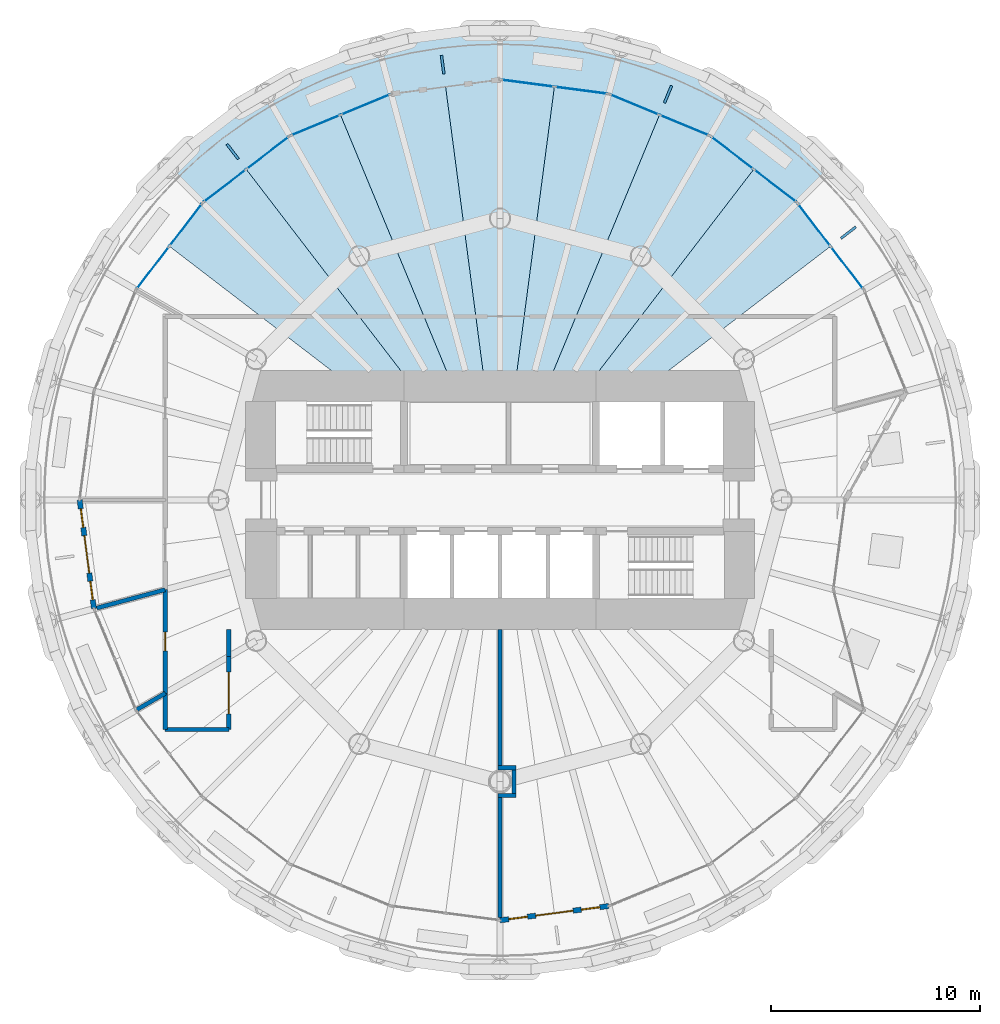
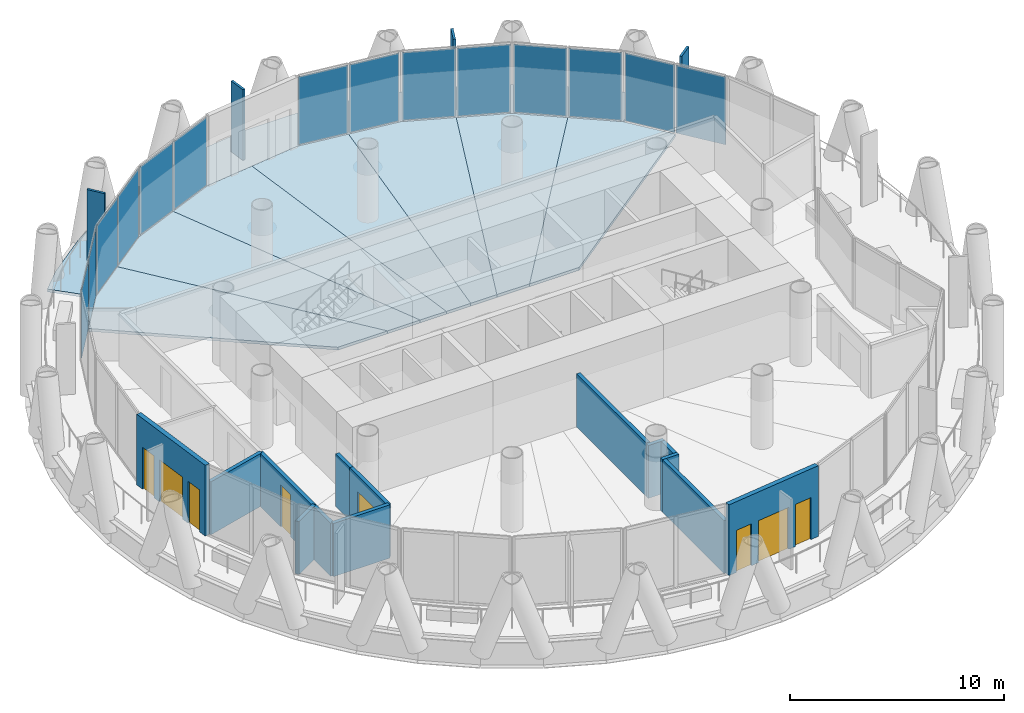
# One storey, part 8 of 13: 18 plates, 14 walls, 8 slabs, 4 doors, 4 windows, 8 openings, 7 elements without a shape of their own.
"""IFC4 building model written with IfcOpenShell, lengths in metres."""

from ifc_helpers import new_model, si_unit, direction, frame, frame_2d, origin, origin_2d, place, context, subcontext, project, spatial, polyline, rectangle, outline, extrude, material, layer, layer_set, type_object, element, fill, aggregate, save


model = new_model("IFC4")

# Units and contexts
model_context = context("Model", 3, precision=1e-05, world=origin(), true_north=direction((0.0, 1.0)))
body_context = subcontext(model_context, "Body", "Model", "MODEL_VIEW")
ifc_project = project(units=[si_unit("LENGTHUNIT", "METRE"), si_unit("AREAUNIT", "SQUARE_METRE"), si_unit("VOLUMEUNIT", "CUBIC_METRE"), si_unit("PLANEANGLEUNIT", "RADIAN"), si_unit("MASSUNIT", "GRAM", prefix="KILO")], contexts=[model_context])

# Site, building, storey
site_placement = place(None, origin())
site = spatial("IfcSite", under=ifc_project, at=site_placement, CompositionType="ELEMENT")
building_placement = place(site_placement, origin())
building = spatial("IfcBuilding", under=site, at=building_placement, Name="Qaws Media Tower", CompositionType="ELEMENT")
storey_placement = place(building_placement, frame((0.0, 0.0, 223.39990234375)))
storey = spatial("IfcBuildingStorey", under=building, at=storey_placement, Name="L51", CompositionType="ELEMENT", Elevation=223.39990234375)

# Slabs
ifc_material_1 = material(Name="Concrete C35/45", Category="concrete")
ifc_layer_1 = layer(ifc_material_1, 0.159912109375)
ifc_layer_set_1 = layer_set([ifc_layer_1], Name="Composite balcony slab 160")
slab_type_1 = type_object("IfcSlabType", Name="Composite balcony slab 160", PredefinedType="FLOOR", material=ifc_layer_set_1)
slab_1_placement = place(storey_placement, frame((0.0, 0.0, -0.159912109375)))
element("IfcSlab", 1, at=slab_1_placement, inside=storey, type_object=slab_type_1, Name="S2 balcony slab L51 R04 to R10, movement joints on R04 and R10", PredefinedType="FLOOR", context=body_context, shape_type="SweptSolid", body=[
    extrude(outline(polyline([(45.1318359375, 66.9541015625), (47.471923828125, 68.74951171875), (50.0263671875, 70.224609375), (52.75146484375, 71.353271484375), (55.6005859375, 72.11669921875), (58.525146484375, 72.501708984375), (61.474853515625, 72.501708984375), (64.3994140625, 72.11669921875), (67.24853515625, 71.353271484375), (69.9736328125, 70.224609375), (72.528076171875, 68.74951171875), (74.8681640625, 66.9541015625), (75.9111328125, 65.9111328125), (74.248291015625, 64.248291015625), (70.074951171875, 67.450439453125), (65.215087890625, 69.46337890625), (60.0, 70.14990234375), (54.784912109375, 69.46337890625), (49.925048828125, 67.450439453125), (45.751708984375, 64.248291015625), (44.0888671875, 65.9111328125), (45.1318359375, 66.9541015625)])), origin(), (0.0, 0.0, 1.0), 0.159912109375),
])
ifc_material_2 = material(Name="Concrete C35/45", Category="concrete")
ifc_layer_2 = layer(ifc_material_2, 0.159912109375)
ifc_layer_set_2 = layer_set([ifc_layer_2], Name="Composite floor slab 160")
slab_type_2 = type_object("IfcSlabType", Name="Composite floor slab 160", PredefinedType="FLOOR", material=ifc_layer_set_2)
slab_2_placement = place(storey_placement, frame((0.0, 0.0, -0.159912109375)))
element("IfcSlab", 2, at=slab_2_placement, inside=storey, type_object=slab_type_2, Name="S1 floor panel L51 on R04", PredefinedType="FLOOR", context=body_context, shape_type="SweptSolid", body=[
    extrude(outline(polyline([(74.248291015625, 64.248291015625), (75.849365234375, 62.16162109375), (66.51611328125, 55.0), (63.836669921875, 55.0), (72.16162109375, 65.849365234375), (74.248291015625, 64.248291015625)])), origin(), (0.0, 0.0, 1.0), 0.159912109375),
])
slab_3_placement = place(storey_placement, frame((0.0, 0.0, -0.159912109375)))
element("IfcSlab", 3, at=slab_3_placement, inside=storey, type_object=slab_type_2, Name="S1 floor panel L51 on R05", PredefinedType="FLOOR", context=body_context, shape_type="SweptSolid", body=[
    extrude(outline(polyline([(70.074951171875, 67.450439453125), (72.16162109375, 65.849365234375), (63.836669921875, 55.0), (62.071044921875, 55.0), (67.64501953125, 68.456787109375), (70.074951171875, 67.450439453125)])), origin(), (0.0, 0.0, 1.0), 0.159912109375),
])
slab_4_placement = place(storey_placement, frame((0.0, 0.0, -0.159912109375)))
element("IfcSlab", 4, at=slab_4_placement, inside=storey, type_object=slab_type_2, Name="S1 floor panel L51 on R06", PredefinedType="FLOOR", context=body_context, shape_type="SweptSolid", body=[
    extrude(outline(polyline([(65.215087890625, 69.46337890625), (67.64501953125, 68.456787109375), (62.071044921875, 55.0), (60.658203125, 55.0), (62.607666015625, 69.806640625), (65.215087890625, 69.46337890625)])), origin(), (0.0, 0.0, 1.0), 0.159912109375),
])
slab_5_placement = place(storey_placement, frame((0.0, 0.0, -0.159912109375)))
element("IfcSlab", 5, at=slab_5_placement, inside=storey, type_object=slab_type_2, Name="S1 floor panel L51 on R07", PredefinedType="FLOOR", context=body_context, shape_type="SweptSolid", body=[
    extrude(outline(polyline([(60.0, 70.14990234375), (62.607666015625, 69.806640625), (60.658203125, 55.0), (59.341796875, 55.0), (57.392333984375, 69.806640625), (60.0, 70.14990234375)])), origin(), (0.0, 0.0, 1.0), 0.159912109375),
])
slab_6_placement = place(storey_placement, frame((0.0, 0.0, -0.159912109375)))
element("IfcSlab", 6, at=slab_6_placement, inside=storey, type_object=slab_type_2, Name="S1 floor panel L51 on R08", PredefinedType="FLOOR", context=body_context, shape_type="SweptSolid", body=[
    extrude(outline(polyline([(54.784912109375, 69.46337890625), (57.392333984375, 69.806640625), (59.341796875, 55.0), (57.928955078125, 55.0), (52.35498046875, 68.456787109375), (54.784912109375, 69.46337890625)])), origin(), (0.0, 0.0, 1.0), 0.159912109375),
])
slab_7_placement = place(storey_placement, frame((0.0, 0.0, -0.159912109375)))
element("IfcSlab", 7, at=slab_7_placement, inside=storey, type_object=slab_type_2, Name="S1 floor panel L51 on R09", PredefinedType="FLOOR", context=body_context, shape_type="SweptSolid", body=[
    extrude(outline(polyline([(49.925048828125, 67.450439453125), (52.35498046875, 68.456787109375), (57.928955078125, 55.0), (56.163330078125, 55.0), (47.83837890625, 65.849365234375), (49.925048828125, 67.450439453125)])), origin(), (0.0, 0.0, 1.0), 0.159912109375),
])
slab_8_placement = place(storey_placement, frame((0.0, 0.0, -0.159912109375)))
element("IfcSlab", 8, at=slab_8_placement, inside=storey, type_object=slab_type_2, Name="S1 floor panel L51 on R10", PredefinedType="FLOOR", context=body_context, shape_type="SweptSolid", body=[
    extrude(outline(polyline([(45.751708984375, 64.248291015625), (47.83837890625, 65.849365234375), (56.163330078125, 55.0), (53.48388671875, 55.0), (44.150634765625, 62.16162109375), (45.751708984375, 64.248291015625)])), origin(), (0.0, 0.0, 1.0), 0.159912109375),
])

# Curtain wall, plates
ifc_material_3 = material(Name="Aluminium and clear glass", Category="aluminium")
curtain_wall_type = type_object("IfcCurtainWallType", Name="Unitised curtain wall CW-C", PredefinedType="NOTDEFINED", material=ifc_material_3)
curtain_wall_1_placement = place(storey_placement, origin())
curtain_wall_1 = element("IfcCurtainWall", 9, at=curtain_wall_1_placement, inside=storey, type_object=curtain_wall_type, Name="CWC curtain wall L51-03", PredefinedType="NOTDEFINED")
ifc_material_4 = material(Name="Clear laminated double glazing", Category="glass")
ifc_layer_3 = layer(ifc_material_4, 0.031982421875)
ifc_layer_set_3 = layer_set([ifc_layer_3], Name="Curtain wall glass unit 32")
plate_type_1 = type_object("IfcPlateType", Name="Curtain wall glass unit 32", PredefinedType="CURTAIN_PANEL", material=ifc_layer_set_3)
plate_1_placement = place(storey_placement, frame((76.6376953125, 61.13427734375, 0.080078125), z_axis=(0.0, 0.0, 1.0), x_axis=(-0.608761366685, 0.793353388114, 0.0)))
plate_1 = element("IfcPlate", 10, at=plate_1_placement, type_object=plate_type_1, Name="CWC panel 1.1", PredefinedType="CURTAIN_PANEL", context=body_context, shape_type="SweptSolid", body=[
    extrude(rectangle(XDim=2.510009765625, YDim=0.031982421875, at=origin_2d()), origin(), (0.0, 0.0, 1.0), 3.8798828125),
])
plate_2_placement = place(storey_placement, frame((75.06103515625, 63.18896484375, 0.080078125), z_axis=(0.0, 0.0, 1.0), x_axis=(-0.608761366685, 0.793353388114, 0.0)))
plate_2 = element("IfcPlate", 11, at=plate_2_placement, type_object=plate_type_1, Name="CWC panel 2.1", PredefinedType="CURTAIN_PANEL", context=body_context, shape_type="SweptSolid", body=[
    extrude(rectangle(XDim=2.510009765625, YDim=0.031982421875, at=origin_2d()), origin(), (0.0, 0.0, 1.0), 3.8798828125),
])
aggregate(curtain_wall_1, [plate_1, plate_2])

curtain_wall_2_placement = place(storey_placement, origin())
curtain_wall_2 = element("IfcCurtainWall", 12, at=curtain_wall_2_placement, inside=storey, type_object=curtain_wall_type, Name="CWC curtain wall L51-04", PredefinedType="NOTDEFINED")
plate_3_placement = place(storey_placement, frame((73.18896484375, 65.06103515625, 0.080078125), z_axis=(0.0, 0.0, 1.0), x_axis=(-0.793353388114, 0.608761366685, 0.0)))
plate_3 = element("IfcPlate", 13, at=plate_3_placement, type_object=plate_type_1, Name="CWC panel 1.1", PredefinedType="CURTAIN_PANEL", context=body_context, shape_type="SweptSolid", body=[
    extrude(rectangle(XDim=2.510009765625, YDim=0.031982421875, at=origin_2d()), origin(), (0.0, 0.0, 1.0), 3.8798828125),
])
plate_4_placement = place(storey_placement, frame((71.13427734375, 66.6376953125, 0.080078125), z_axis=(0.0, 0.0, 1.0), x_axis=(-0.793353388114, 0.608761366685, 0.0)))
plate_4 = element("IfcPlate", 14, at=plate_4_placement, type_object=plate_type_1, Name="CWC panel 2.1", PredefinedType="CURTAIN_PANEL", context=body_context, shape_type="SweptSolid", body=[
    extrude(rectangle(XDim=2.510009765625, YDim=0.031982421875, at=origin_2d()), origin(), (0.0, 0.0, 1.0), 3.8798828125),
])
aggregate(curtain_wall_2, [plate_3, plate_4])

curtain_wall_3_placement = place(storey_placement, origin())
curtain_wall_3 = element("IfcCurtainWall", 15, at=curtain_wall_3_placement, inside=storey, type_object=curtain_wall_type, Name="CWC curtain wall L51-05", PredefinedType="NOTDEFINED")
plate_5_placement = place(storey_placement, frame((68.841552734375, 67.96142578125, 0.080078125), z_axis=(0.0, 0.0, 1.0), x_axis=(-0.92387956031, 0.382683365254, 0.0)))
plate_5 = element("IfcPlate", 16, at=plate_5_placement, type_object=plate_type_1, Name="CWC panel 1.1", PredefinedType="CURTAIN_PANEL", context=body_context, shape_type="SweptSolid", body=[
    extrude(rectangle(XDim=2.510009765625, YDim=0.031982421875, at=origin_2d()), origin(), (0.0, 0.0, 1.0), 3.8798828125),
])
plate_6_placement = place(storey_placement, frame((66.44873046875, 68.952392578125, 0.080078125), z_axis=(0.0, 0.0, 1.0), x_axis=(-0.92387956031, 0.382683365254, 0.0)))
plate_6 = element("IfcPlate", 17, at=plate_6_placement, type_object=plate_type_1, Name="CWC panel 2.1", PredefinedType="CURTAIN_PANEL", context=body_context, shape_type="SweptSolid", body=[
    extrude(rectangle(XDim=2.510009765625, YDim=0.031982421875, at=origin_2d()), origin(), (0.0, 0.0, 1.0), 3.8798828125),
])
aggregate(curtain_wall_3, [plate_5, plate_6])

curtain_wall_4_placement = place(storey_placement, origin())
curtain_wall_4 = element("IfcCurtainWall", 18, at=curtain_wall_4_placement, inside=storey, type_object=curtain_wall_type, Name="CWC curtain wall L51-06", PredefinedType="NOTDEFINED")
plate_7_placement = place(storey_placement, frame((63.8916015625, 69.6376953125, 0.080078125), z_axis=(0.0, 0.0, 1.0), x_axis=(-0.991444852321, 0.130526260986, 0.0)))
plate_7 = element("IfcPlate", 19, at=plate_7_placement, type_object=plate_type_1, Name="CWC panel 1.1", PredefinedType="CURTAIN_PANEL", context=body_context, shape_type="SweptSolid", body=[
    extrude(rectangle(XDim=2.510009765625, YDim=0.031982421875, at=origin_2d()), origin(), (0.0, 0.0, 1.0), 3.8798828125),
])
plate_8_placement = place(storey_placement, frame((61.32373046875, 69.975830078125, 0.080078125), z_axis=(0.0, 0.0, 1.0), x_axis=(-0.991444852321, 0.130526260986, 0.0)))
plate_8 = element("IfcPlate", 20, at=plate_8_placement, type_object=plate_type_1, Name="CWC panel 2.1", PredefinedType="CURTAIN_PANEL", context=body_context, shape_type="SweptSolid", body=[
    extrude(rectangle(XDim=2.510009765625, YDim=0.031982421875, at=origin_2d()), origin(), (0.0, 0.0, 1.0), 3.8798828125),
])
aggregate(curtain_wall_4, [plate_7, plate_8])

curtain_wall_5_placement = place(storey_placement, origin())
curtain_wall_5 = element("IfcCurtainWall", 21, at=curtain_wall_5_placement, inside=storey, type_object=curtain_wall_type, Name="CWC curtain wall L51-08", PredefinedType="NOTDEFINED")
plate_9_placement = place(storey_placement, frame((53.55126953125, 68.952392578125, 0.080078125), z_axis=(0.0, 0.0, 1.0), x_axis=(-0.92387956031, -0.382683365254, 0.0)))
plate_9 = element("IfcPlate", 22, at=plate_9_placement, type_object=plate_type_1, Name="CWC panel 1.1", PredefinedType="CURTAIN_PANEL", context=body_context, shape_type="SweptSolid", body=[
    extrude(rectangle(XDim=2.510009765625, YDim=0.031982421875, at=origin_2d()), origin(), (0.0, 0.0, 1.0), 3.8798828125),
])
plate_10_placement = place(storey_placement, frame((51.158447265625, 67.96142578125, 0.080078125), z_axis=(0.0, 0.0, 1.0), x_axis=(-0.92387956031, -0.382683365254, 0.0)))
plate_10 = element("IfcPlate", 23, at=plate_10_placement, type_object=plate_type_1, Name="CWC panel 2.1", PredefinedType="CURTAIN_PANEL", context=body_context, shape_type="SweptSolid", body=[
    extrude(rectangle(XDim=2.510009765625, YDim=0.031982421875, at=origin_2d()), origin(), (0.0, 0.0, 1.0), 3.8798828125),
])
aggregate(curtain_wall_5, [plate_9, plate_10])

curtain_wall_6_placement = place(storey_placement, origin())
curtain_wall_6 = element("IfcCurtainWall", 24, at=curtain_wall_6_placement, inside=storey, type_object=curtain_wall_type, Name="CWC curtain wall L51-09", PredefinedType="NOTDEFINED")
plate_11_placement = place(storey_placement, frame((48.86572265625, 66.6376953125, 0.080078125), z_axis=(0.0, 0.0, 1.0), x_axis=(-0.793353388114, -0.608761366685, 0.0)))
plate_11 = element("IfcPlate", 25, at=plate_11_placement, type_object=plate_type_1, Name="CWC panel 1.1", PredefinedType="CURTAIN_PANEL", context=body_context, shape_type="SweptSolid", body=[
    extrude(rectangle(XDim=2.510009765625, YDim=0.031982421875, at=origin_2d()), origin(), (0.0, 0.0, 1.0), 3.8798828125),
])
plate_12_placement = place(storey_placement, frame((46.81103515625, 65.06103515625, 0.080078125), z_axis=(0.0, 0.0, 1.0), x_axis=(-0.793353388114, -0.608761366685, 0.0)))
plate_12 = element("IfcPlate", 26, at=plate_12_placement, type_object=plate_type_1, Name="CWC panel 2.1", PredefinedType="CURTAIN_PANEL", context=body_context, shape_type="SweptSolid", body=[
    extrude(rectangle(XDim=2.510009765625, YDim=0.031982421875, at=origin_2d()), origin(), (0.0, 0.0, 1.0), 3.8798828125),
])
aggregate(curtain_wall_6, [plate_11, plate_12])

curtain_wall_7_placement = place(storey_placement, origin())
curtain_wall_7 = element("IfcCurtainWall", 27, at=curtain_wall_7_placement, inside=storey, type_object=curtain_wall_type, Name="CWC curtain wall L51-10", PredefinedType="NOTDEFINED")
plate_13_placement = place(storey_placement, frame((44.93896484375, 63.18896484375, 0.080078125), z_axis=(0.0, 0.0, 1.0), x_axis=(-0.608761366685, -0.793353388114, 0.0)))
plate_13 = element("IfcPlate", 28, at=plate_13_placement, type_object=plate_type_1, Name="CWC panel 1.1", PredefinedType="CURTAIN_PANEL", context=body_context, shape_type="SweptSolid", body=[
    extrude(rectangle(XDim=2.510009765625, YDim=0.031982421875, at=origin_2d()), origin(), (0.0, 0.0, 1.0), 3.8798828125),
])
plate_14_placement = place(storey_placement, frame((43.3623046875, 61.13427734375, 0.080078125), z_axis=(0.0, 0.0, 1.0), x_axis=(-0.608761366685, -0.793353388114, 0.0)))
plate_14 = element("IfcPlate", 29, at=plate_14_placement, type_object=plate_type_1, Name="CWC panel 2.1", PredefinedType="CURTAIN_PANEL", context=body_context, shape_type="SweptSolid", body=[
    extrude(rectangle(XDim=2.510009765625, YDim=0.031982421875, at=origin_2d()), origin(), (0.0, 0.0, 1.0), 3.8798828125),
])
aggregate(curtain_wall_7, [plate_13, plate_14])

# Plates
ifc_material_5 = material(Name="Precast concrete screen fin", Category="concrete")
ifc_layer_4 = layer(ifc_material_5, 0.1201171875)
ifc_layer_set_4 = layer_set([ifc_layer_4], Name="Screen fin 120x900")
plate_type_2 = type_object("IfcPlateType", Name="Screen fin 120x900", PredefinedType="USERDEFINED", material=ifc_layer_set_4)
for number, where, z_axis, x_axis, name in (
    (30, (76.7001953125, 62.814453125, 0.0), (0.0, 0.0, 1.0), (0.793353340291, 0.608761429009, 0.0), "SCR1 screen fin L51-02"),
    (31, (68.055419921875, 69.44775390625, 0.0), (0.0, 0.0, 1.0), (0.382683432365, 0.923879532511, 0.0), "SCR1 screen fin L51-03"),
    (32, (57.25244140625, 70.869873046875, 0.0), (0.0, 0.0, 1.0), (-0.13052619222, 0.991444861374, 0.0), "SCR1 screen fin L51-04"),
    (33, (47.185546875, 66.7001953125, 0.0), (0.0, 0.0, 1.0), (-0.608761429009, 0.793353340291, 0.0), "SCR1 screen fin L51-05"),
):
    element("IfcPlate", number, at=place(storey_placement, frame(where, z_axis=z_axis, x_axis=x_axis)), inside=storey, type_object=plate_type_2, Name=name, ObjectType="SCREEN", PredefinedType="USERDEFINED", context=body_context, shape_type="SweptSolid", body=[
        extrude(rectangle(XDim=0.89990234375, YDim=0.1201171875, at=origin_2d()), origin(), (0.0, 0.0, 1.0), 4.0400390625),
    ])

# Wall, openings, door, windows
ifc_material_6 = material(Name="Precast concrete, exposed finish", Category="concrete")
ifc_layer_5 = layer(ifc_material_6, 0.25)
ifc_layer_set_5 = layer_set([ifc_layer_5], Name="Balcony door wall 250")
wall_type_1 = type_object("IfcWallType", Name="Balcony door wall 250", PredefinedType="SOLIDWALL", material=ifc_layer_set_5)
wall_1_placement = place(storey_placement, frame((39.85009765625, 50.0, 0.0), z_axis=(0.0, 0.0, 1.0), x_axis=(0.130515744481, -0.991446236789, 0.0)))
wall_1 = element("IfcWall", 34, at=wall_1_placement, inside=storey, type_object=wall_type_1, Name="W240 EW1 balcony door wall L51-13", PredefinedType="SOLIDWALL", context=body_context, shape_type="SweptSolid", body=[
    extrude(rectangle(XDim=5.260009765625, YDim=0.25, at=frame_2d((2.6298828125, 0.0))), origin(), (0.0, 0.0, 1.0), 4.0400390625),
])
opening_1_placement = place(wall_1_placement, frame((1.730224609375, 0.0, 0.0)))
opening_1 = element("IfcOpeningElement", 35, at=opening_1_placement, cuts=wall_1, Name="Opening D7", PredefinedType="OPENING", context=body_context, shape_type="SweptSolid", body=[
    extrude(rectangle(XDim=1.800048828125, YDim=2.39990234375, at=frame_2d((0.89990234375, 1.199951171875))), frame((0.0, 0.135009765625, 0.0), z_axis=(0.0, -1.0, 0.0), x_axis=(1.0, 0.0, 0.0)), (0.0, 0.0, 1.0), 0.27001953125),
])
opening_2_placement = place(wall_1_placement, frame((0.43017578125, 0.0, 0.0)))
opening_2 = element("IfcOpeningElement", 36, at=opening_2_placement, cuts=wall_1, Name="Opening W7", PredefinedType="OPENING", context=body_context, shape_type="SweptSolid", body=[
    extrude(rectangle(XDim=0.89990234375, YDim=2.39990234375, at=frame_2d((0.449951171875, 1.199951171875))), frame((0.0, 0.135009765625, 0.0), z_axis=(0.0, -1.0, 0.0), x_axis=(1.0, 0.0, 0.0)), (0.0, 0.0, 1.0), 0.27001953125),
])
opening_3_placement = place(wall_1_placement, frame((3.93017578125, 0.0, 0.0)))
opening_3 = element("IfcOpeningElement", 37, at=opening_3_placement, cuts=wall_1, Name="Opening W7", PredefinedType="OPENING", context=body_context, shape_type="SweptSolid", body=[
    extrude(rectangle(XDim=0.89990234375, YDim=2.39990234375, at=frame_2d((0.449951171875, 1.199951171875))), frame((0.0, 0.135009765625, 0.0), z_axis=(0.0, -1.0, 0.0), x_axis=(1.0, 0.0, 0.0)), (0.0, 0.0, 1.0), 0.27001953125),
])
ifc_material_7 = material(Name="Aluminium and clear glass", Category="aluminium")
door_type_1 = type_object("IfcDoorType", Name="Balcony door pair 1800", OperationType="DOUBLE_DOOR_SLIDING", PredefinedType="DOOR", material=ifc_material_7)
door_1_placement = place(opening_1_placement, origin())
door_1 = element("IfcDoor", 38, at=door_1_placement, inside=storey, type_object=door_type_1, Name="D7 balcony door L51-13 in wall W240", OperationType="DOUBLE_DOOR_SLIDING", OverallHeight=2.39990234375, OverallWidth=1.800048828125, PredefinedType="DOOR", context=body_context, shape_type="SweptSolid", body=[
    extrude(rectangle(XDim=1.800048828125, YDim=2.39990234375, at=frame_2d((0.89990234375, 1.199951171875))), frame((0.0, 0.02490234375, 0.0), z_axis=(0.0, -1.0, 0.0), x_axis=(1.0, 0.0, 0.0)), (0.0, 0.0, 1.0), 0.050048828125),
])
fill(opening_1, door_1)
ifc_material_8 = material(Name="Aluminium and clear glass", Category="aluminium")
window_type = type_object("IfcWindowType", Name="Balcony side window 900", PartitioningType="SINGLE_PANEL", PredefinedType="WINDOW", material=ifc_material_8)
window_1_placement = place(opening_2_placement, origin())
window_1 = element("IfcWindow", 39, at=window_1_placement, inside=storey, type_object=window_type, Name="W1 balcony side light L51-13L", OverallHeight=2.39990234375, OverallWidth=0.89990234375, PartitioningType="SINGLE_PANEL", PredefinedType="WINDOW", context=body_context, shape_type="SweptSolid", body=[
    extrude(rectangle(XDim=0.89990234375, YDim=2.39990234375, at=frame_2d((0.449951171875, 1.199951171875))), frame((0.0, 0.030029296875, 0.0), z_axis=(0.0, -1.0, 0.0), x_axis=(1.0, 0.0, 0.0)), (0.0, 0.0, 1.0), 0.06005859375),
])
fill(opening_2, window_1)
window_2_placement = place(opening_3_placement, origin())
window_2 = element("IfcWindow", 40, at=window_2_placement, inside=storey, type_object=window_type, Name="W1 balcony side light L51-13R", OverallHeight=2.39990234375, OverallWidth=0.89990234375, PartitioningType="SINGLE_PANEL", PredefinedType="WINDOW", context=body_context, shape_type="SweptSolid", body=[
    extrude(rectangle(XDim=0.89990234375, YDim=2.39990234375, at=frame_2d((0.449951171875, 1.199951171875))), frame((0.0, 0.030029296875, 0.0), z_axis=(0.0, -1.0, 0.0), x_axis=(1.0, 0.0, 0.0)), (0.0, 0.0, 1.0), 0.06005859375),
])
fill(opening_3, window_2)

wall_2_placement = place(storey_placement, frame((60.0, 29.85009765625, 0.0), z_axis=(0.0, 0.0, 1.0), x_axis=(0.991446236789, 0.130515744481, 0.0)))
wall_2 = element("IfcWall", 41, at=wall_2_placement, inside=storey, type_object=wall_type_1, Name="W241 EW1 balcony door wall L51-19", PredefinedType="SOLIDWALL", context=body_context, shape_type="SweptSolid", body=[
    extrude(rectangle(XDim=5.260009765625, YDim=0.25, at=frame_2d((2.6298828125, 0.0))), origin(), (0.0, 0.0, 1.0), 4.0400390625),
])
opening_4_placement = place(wall_2_placement, frame((1.730224609375, 0.0, 0.0)))
opening_4 = element("IfcOpeningElement", 42, at=opening_4_placement, cuts=wall_2, Name="Opening D7", PredefinedType="OPENING", context=body_context, shape_type="SweptSolid", body=[
    extrude(rectangle(XDim=1.800048828125, YDim=2.39990234375, at=frame_2d((0.89990234375, 1.199951171875))), frame((0.0, 0.135009765625, 0.0), z_axis=(0.0, -1.0, 0.0), x_axis=(1.0, 0.0, 0.0)), (0.0, 0.0, 1.0), 0.27001953125),
])
opening_5_placement = place(wall_2_placement, frame((0.43017578125, 0.0, 0.0)))
opening_5 = element("IfcOpeningElement", 43, at=opening_5_placement, cuts=wall_2, Name="Opening W7", PredefinedType="OPENING", context=body_context, shape_type="SweptSolid", body=[
    extrude(rectangle(XDim=0.89990234375, YDim=2.39990234375, at=frame_2d((0.449951171875, 1.199951171875))), frame((0.0, 0.135009765625, 0.0), z_axis=(0.0, -1.0, 0.0), x_axis=(1.0, 0.0, 0.0)), (0.0, 0.0, 1.0), 0.27001953125),
])
opening_6_placement = place(wall_2_placement, frame((3.93017578125, 0.0, 0.0)))
opening_6 = element("IfcOpeningElement", 44, at=opening_6_placement, cuts=wall_2, Name="Opening W7", PredefinedType="OPENING", context=body_context, shape_type="SweptSolid", body=[
    extrude(rectangle(XDim=0.89990234375, YDim=2.39990234375, at=frame_2d((0.449951171875, 1.199951171875))), frame((0.0, 0.135009765625, 0.0), z_axis=(0.0, -1.0, 0.0), x_axis=(1.0, 0.0, 0.0)), (0.0, 0.0, 1.0), 0.27001953125),
])
door_2_placement = place(opening_4_placement, origin())
door_2 = element("IfcDoor", 45, at=door_2_placement, inside=storey, type_object=door_type_1, Name="D7 balcony door L51-19 in wall W241", OperationType="DOUBLE_DOOR_SLIDING", OverallHeight=2.39990234375, OverallWidth=1.800048828125, PredefinedType="DOOR", context=body_context, shape_type="SweptSolid", body=[
    extrude(rectangle(XDim=1.800048828125, YDim=2.39990234375, at=frame_2d((0.89990234375, 1.199951171875))), frame((0.0, 0.02490234375, 0.0), z_axis=(0.0, -1.0, 0.0), x_axis=(1.0, 0.0, 0.0)), (0.0, 0.0, 1.0), 0.050048828125),
])
fill(opening_4, door_2)
window_3_placement = place(opening_5_placement, origin())
window_3 = element("IfcWindow", 46, at=window_3_placement, inside=storey, type_object=window_type, Name="W1 balcony side light L51-19L", OverallHeight=2.39990234375, OverallWidth=0.89990234375, PartitioningType="SINGLE_PANEL", PredefinedType="WINDOW", context=body_context, shape_type="SweptSolid", body=[
    extrude(rectangle(XDim=0.89990234375, YDim=2.39990234375, at=frame_2d((0.449951171875, 1.199951171875))), frame((0.0, 0.030029296875, 0.0), z_axis=(0.0, -1.0, 0.0), x_axis=(1.0, 0.0, 0.0)), (0.0, 0.0, 1.0), 0.06005859375),
])
fill(opening_5, window_3)
window_4_placement = place(opening_6_placement, origin())
window_4 = element("IfcWindow", 47, at=window_4_placement, inside=storey, type_object=window_type, Name="W1 balcony side light L51-19R", OverallHeight=2.39990234375, OverallWidth=0.89990234375, PartitioningType="SINGLE_PANEL", PredefinedType="WINDOW", context=body_context, shape_type="SweptSolid", body=[
    extrude(rectangle(XDim=0.89990234375, YDim=2.39990234375, at=frame_2d((0.449951171875, 1.199951171875))), frame((0.0, 0.030029296875, 0.0), z_axis=(0.0, -1.0, 0.0), x_axis=(1.0, 0.0, 0.0)), (0.0, 0.0, 1.0), 0.06005859375),
])
fill(opening_6, window_4)

# Wall
ifc_material_9 = material(Name="Gypsum board on galvanised metal studs, acoustic double stud, deflection head", Category="gypsum")
ifc_layer_6 = layer(ifc_material_9, 0.199951171875)
ifc_layer_set_6 = layer_set([ifc_layer_6], Name="Room partition 200")
wall_type_2 = type_object("IfcWallType", Name="Room partition 200", PredefinedType="PARTITIONING", material=ifc_layer_set_6)
wall_3_placement = place(storey_placement, frame((47.0, 43.800048828125, 0.0), z_axis=(0.0, 0.0, 1.0), x_axis=(0.0, -1.0, 0.0)))
element("IfcWall", 48, at=wall_3_placement, inside=storey, type_object=wall_type_2, Name="W1600 IW3 partition L51", PredefinedType="PARTITIONING", context=body_context, shape_type="SweptSolid", body=[
    extrude(rectangle(XDim=1.3056640625, YDim=0.199951171875, at=frame_2d((0.65283203125, 0.0))), origin(), (0.0, 0.0, 1.0), 3.02001953125),
])

# Wall, opening, door
wall_4_placement = place(storey_placement, frame((47.0, 42.494384765625, 0.0), z_axis=(0.0, 0.0, 1.0), x_axis=(0.0, -1.0, 0.0)))
wall_4 = element("IfcWall", 49, at=wall_4_placement, inside=storey, type_object=wall_type_2, Name="W1599 IW3 partition L51", PredefinedType="PARTITIONING", context=body_context, shape_type="SweptSolid", body=[
    extrude(rectangle(XDim=3.494384765625, YDim=0.199951171875, at=frame_2d((1.7470703125, 0.0))), origin(), (0.0, 0.0, 1.0), 3.02001953125),
])
opening_7_placement = place(wall_4_placement, frame((0.747314453125, 0.0, 0.0)))
opening_7 = element("IfcOpeningElement", 50, at=opening_7_placement, cuts=wall_4, Name="Opening D6", PredefinedType="OPENING", context=body_context, shape_type="SweptSolid", body=[
    extrude(rectangle(XDim=2.0, YDim=2.10009765625, at=frame_2d((1.0, 1.050048828125))), frame((0.0, 0.10986328125, 0.0), z_axis=(0.0, -1.0, 0.0), x_axis=(1.0, 0.0, 0.0)), (0.0, 0.0, 1.0), 0.219970703125),
])
ifc_material_10 = material(Name="Steel, acoustic, fire rated", Category="steel")
door_type_2 = type_object("IfcDoorType", Name="Room door pair 2000", OperationType="DOUBLE_DOOR_DOUBLE_SWING", PredefinedType="DOOR", material=ifc_material_10)
door_3_placement = place(opening_7_placement, origin())
door_3 = element("IfcDoor", 51, at=door_3_placement, inside=storey, type_object=door_type_2, Name="D6 Tenant office door L51 in wall W1599", OperationType="DOUBLE_DOOR_DOUBLE_SWING", OverallHeight=2.10009765625, OverallWidth=2.0, PredefinedType="DOOR", context=body_context, shape_type="SweptSolid", body=[
    extrude(rectangle(XDim=2.0, YDim=2.10009765625, at=frame_2d((1.0, 1.050048828125))), frame((0.0, 0.02490234375, 0.0), z_axis=(0.0, -1.0, 0.0), x_axis=(1.0, 0.0, 0.0)), (0.0, 0.0, 1.0), 0.050048828125),
])
fill(opening_7, door_3)

# Walls
wall_5_placement = place(storey_placement, frame((47.0, 39.0, 0.0), z_axis=(0.0, 0.0, 1.0), x_axis=(-1.0, 0.0, 0.0)))
element("IfcWall", 52, at=wall_5_placement, inside=storey, type_object=wall_type_2, Name="W1598 IW3 partition L51", PredefinedType="PARTITIONING", context=body_context, shape_type="SweptSolid", body=[
    extrude(rectangle(XDim=3.050048828125, YDim=0.199951171875, at=frame_2d((1.52490234375, 0.0))), origin(), (0.0, 0.0, 1.0), 3.0400390625),
])
wall_6_placement = place(storey_placement, frame((43.949951171875, 39.0, 0.0), z_axis=(0.0, 0.0, 1.0), x_axis=(0.0, 1.0, 0.0)))
element("IfcWall", 53, at=wall_6_placement, inside=storey, type_object=wall_type_2, Name="W1591 IW3 partition L51", PredefinedType="PARTITIONING", context=body_context, shape_type="SweptSolid", body=[
    extrude(rectangle(XDim=1.7333984375, YDim=0.199951171875, at=frame_2d((0.86669921875, 0.0))), origin(), (0.0, 0.0, 1.0), 3.02001953125),
])

# Wall, opening, door
wall_7_placement = place(storey_placement, frame((43.949951171875, 40.7333984375, 0.0), z_axis=(0.0, 0.0, 1.0), x_axis=(0.0, 1.0, 0.0)))
wall_7 = element("IfcWall", 54, at=wall_7_placement, inside=storey, type_object=wall_type_2, Name="W1592 IW3 partition L51", PredefinedType="PARTITIONING", context=body_context, shape_type="SweptSolid", body=[
    extrude(rectangle(XDim=4.966064453125, YDim=0.199951171875, at=frame_2d((2.48291015625, 0.0))), origin(), (0.0, 0.0, 1.0), 3.02001953125),
])
opening_8_placement = place(wall_7_placement, frame((2.032958984375, 0.0, 0.0)))
opening_8 = element("IfcOpeningElement", 55, at=opening_8_placement, cuts=wall_7, Name="Opening D12", PredefinedType="OPENING", context=body_context, shape_type="SweptSolid", body=[
    extrude(rectangle(XDim=0.89990234375, YDim=2.39990234375, at=frame_2d((0.449951171875, 1.199951171875))), frame((0.0, 0.10986328125, 0.0), z_axis=(0.0, -1.0, 0.0), x_axis=(1.0, 0.0, 0.0)), (0.0, 0.0, 1.0), 0.219970703125),
])
ifc_material_11 = material(Name="Timber veneered, full height", Category="wood")
door_type_3 = type_object("IfcDoorType", Name="Office door 900x2400", OperationType="SINGLE_SWING_LEFT", PredefinedType="DOOR", material=ifc_material_11)
door_4_placement = place(opening_8_placement, origin())
door_4 = element("IfcDoor", 56, at=door_4_placement, inside=storey, type_object=door_type_3, Name="D12 Office door L51 in wall W1592", OperationType="SINGLE_SWING_LEFT", OverallHeight=2.39990234375, OverallWidth=0.89990234375, PredefinedType="DOOR", context=body_context, shape_type="SweptSolid", body=[
    extrude(rectangle(XDim=0.89990234375, YDim=2.39990234375, at=frame_2d((0.449951171875, 1.199951171875))), frame((0.0, 0.02490234375, 0.0), z_axis=(0.0, -1.0, 0.0), x_axis=(1.0, 0.0, 0.0)), (0.0, 0.0, 1.0), 0.050048828125),
])
fill(opening_8, door_4)

# Walls
wall_8_placement = place(storey_placement, frame((43.9462890625, 45.698486328125, 0.0), z_axis=(0.0, 0.0, 1.0), x_axis=(-0.965921047093, -0.258836880648, 0.0)))
element("IfcWall", 57, at=wall_8_placement, inside=storey, type_object=wall_type_2, Name="W1590 IW3 partition L51", PredefinedType="PARTITIONING", context=body_context, shape_type="SweptSolid", body=[
    extrude(rectangle(XDim=3.389892578125, YDim=0.199951171875, at=frame_2d((1.69482421875, 0.0))), origin(), (0.0, 0.0, 1.0), 3.02001953125),
])
wall_9_placement = place(storey_placement, frame((43.961181640625, 40.739990234375, 0.0), z_axis=(0.0, 0.0, 1.0), x_axis=(-0.866042392862, -0.4999705729, 0.0)))
element("IfcWall", 58, at=wall_9_placement, inside=storey, type_object=wall_type_2, Name="W1596 IW3 partition L51", PredefinedType="PARTITIONING", context=body_context, shape_type="SweptSolid", body=[
    extrude(rectangle(XDim=1.58984375, YDim=0.199951171875, at=frame_2d((0.794921875, 0.0))), origin(), (0.0, 0.0, 1.0), 3.02001953125),
])
for number, where, z_axis, x_axis, name in (
    (59, (59.89990234375, 37.16796875, 0.0), (0.0, 0.0, 1.0), (1.0, 0.0, 0.0), "W1286 IW3 partition return L51"),
    (60, (59.89990234375, 35.83203125, 0.0), (0.0, 0.0, 1.0), (1.0, 0.0, 0.0), "W1285 IW3 partition return L51"),
):
    element("IfcWall", number, at=place(storey_placement, frame(where, z_axis=z_axis, x_axis=x_axis)), inside=storey, type_object=wall_type_2, Name=name, PredefinedType="PARTITIONING", context=body_context, shape_type="SweptSolid", body=[
        extrude(rectangle(XDim=0.878173828125, YDim=0.199951171875, at=frame_2d((0.43896484375, 0.0))), origin(), (0.0, 0.0, 1.0), 3.02001953125),
    ])
wall_10_placement = place(storey_placement, frame((60.677978515625, 37.068115234375, 0.0), z_axis=(0.0, 0.0, 1.0), x_axis=(0.0, -1.0, 0.0)))
element("IfcWall", 61, at=wall_10_placement, inside=storey, type_object=wall_type_2, Name="W1290 IW3 partition return L51", PredefinedType="PARTITIONING", context=body_context, shape_type="SweptSolid", body=[
    extrude(rectangle(XDim=1.13623046875, YDim=0.199951171875, at=frame_2d((0.568115234375, 0.0))), origin(), (0.0, 0.0, 1.0), 3.02001953125),
])
wall_11_placement = place(storey_placement, frame((60.0, 43.800048828125, 0.0), z_axis=(0.0, 0.0, 1.0), x_axis=(0.0, -1.0, 0.0)))
element("IfcWall", 62, at=wall_11_placement, inside=storey, type_object=wall_type_2, Name="W1586 IW3 partition L51", PredefinedType="PARTITIONING", context=body_context, shape_type="SweptSolid", body=[
    extrude(rectangle(XDim=6.531982421875, YDim=0.199951171875, at=frame_2d((3.26611328125, 0.0))), origin(), (0.0, 0.0, 1.0), 3.0400390625),
])
wall_12_placement = place(storey_placement, frame((60.0, 35.73193359375, 0.0), z_axis=(0.0, 0.0, 1.0), x_axis=(0.0, -1.0, 0.0)))
element("IfcWall", 63, at=wall_12_placement, inside=storey, type_object=wall_type_2, Name="W1601 IW3 partition L51", PredefinedType="PARTITIONING", context=body_context, shape_type="SweptSolid", body=[
    extrude(rectangle(XDim=5.741943359375, YDim=0.199951171875, at=frame_2d((2.87109375, 0.0))), origin(), (0.0, 0.0, 1.0), 3.02001953125),
])

save(model, "model.ifc")
